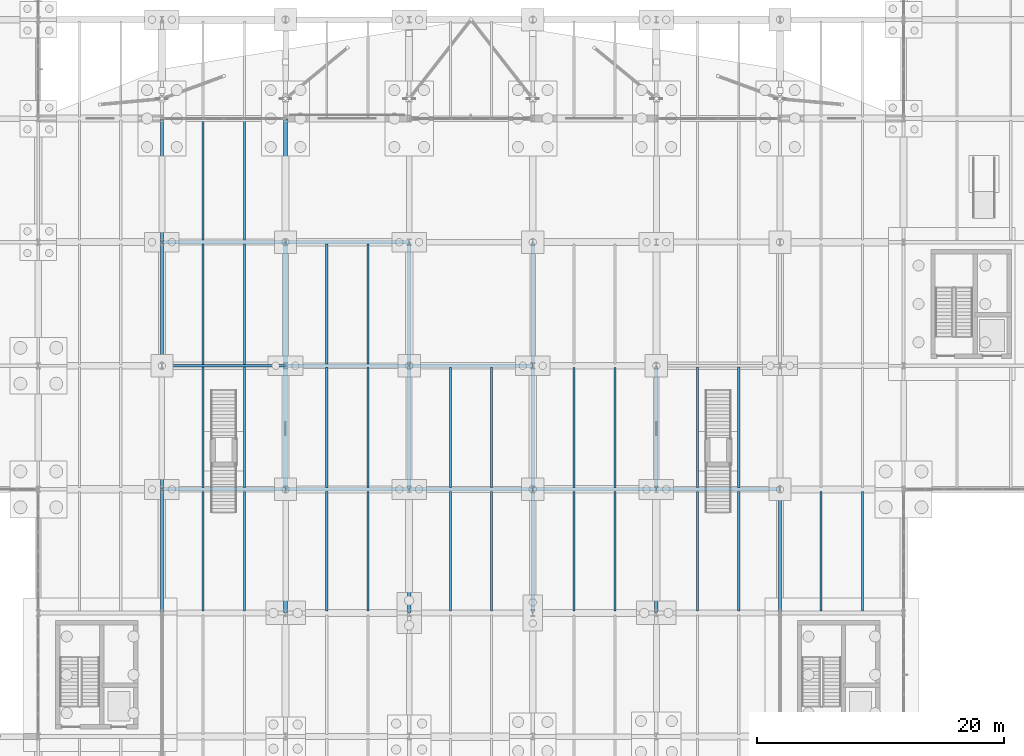
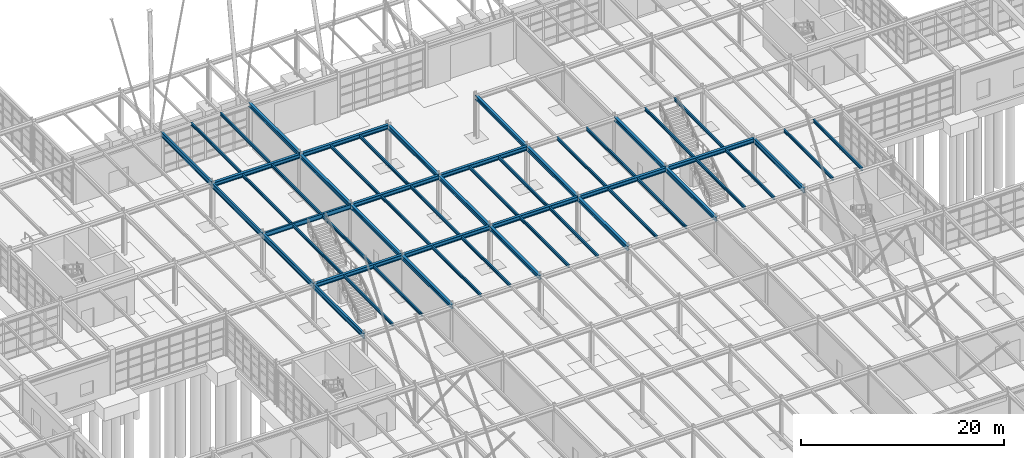
# One storey, part 56 of 145: 55 beams.
"""IFC4 building model written with IfcOpenShell, lengths in metres."""

from ifc_helpers import new_model, si_unit, direction, frame, origin, origin_2d, place, context, subcontext, project, spatial, i_section, extrude, material, material_profile, profile_set, type_object, element, save


model = new_model("IFC4")

# Units and contexts
model_context = context("Model", 3, precision=1e-05, world=origin(), true_north=direction((0.0, 1.0)))
body_context = subcontext(model_context, "Body", "Model", "MODEL_VIEW")
ifc_project = project(units=[si_unit("LENGTHUNIT", "METRE"), si_unit("AREAUNIT", "SQUARE_METRE"), si_unit("VOLUMEUNIT", "CUBIC_METRE"), si_unit("PLANEANGLEUNIT", "RADIAN"), si_unit("MASSUNIT", "GRAM", prefix="KILO"), si_unit("THERMODYNAMICTEMPERATUREUNIT", "KELVIN"), si_unit("POWERUNIT", "WATT")], contexts=[model_context])

# Site, building, storey
site_placement = place(None, origin())
site = spatial("IfcSite", under=ifc_project, at=site_placement, CompositionType="ELEMENT")
building_placement = place(site_placement, origin())
building = spatial("IfcBuilding", under=site, at=building_placement, Name="Korenveer Ferry Terminal", CompositionType="ELEMENT")
storey_placement = place(building_placement, origin())
storey = spatial("IfcBuildingStorey", under=building, at=storey_placement, Name="L00", CompositionType="ELEMENT", Elevation=0.0)

# Beams
ifc_material = material(Name="Steel S355", Category="steel")
ifc_material_profile_1 = material_profile(ifc_material, i_section(OverallWidth=0.300048828125, OverallDepth=0.5, WebThickness=0.014404296875, FlangeThickness=0.028076171875, FilletRadius=0.027099609375, at=origin_2d()), Name="HEB 500")
ifc_profile_set_1 = profile_set([ifc_material_profile_1], Name="Steel S355")
beam_type_1 = type_object("IfcBeamType", Name="STR-BM-HEB500", PredefinedType="BEAM", material=ifc_profile_set_1)
for number, where, z_axis, x_axis, name in (
    (1, (63.02001953125, 70.0, 4.830078125), (1.0, 0.0, 0.0), (0.0, 1.0, 0.0), "Primary X girder BMX-L01-X63-73-Y70"),
    (2, (73.02001953125, 70.0, 4.830078125), (1.0, 0.0, 0.0), (0.0, 1.0, 0.0), "Primary X girder BMX-L01-X73-83-Y70"),
    (3, (83.02001953125, 70.0, 4.830078125), (1.0, 0.0, 0.0), (0.0, 1.0, 0.0), "Primary X girder BMX-L01-X83-93-Y70"),
    (4, (93.02001953125, 70.0, 4.830078125), (1.0, 0.0, 0.0), (0.0, 1.0, 0.0), "Primary X girder BMX-L01-X93-103-Y70"),
    (5, (103.02001953125, 70.0, 4.830078125), (1.0, 0.0, 0.0), (0.0, 1.0, 0.0), "Primary X girder BMX-L01-X103-113-Y70"),
    (6, (73.02001953125, 80.0, 4.830078125), (1.0, 0.0, 0.0), (0.0, 1.0, 0.0), "Primary X girder BMX-L01-X73-83-Y80"),
    (7, (83.02001953125, 80.0, 4.830078125), (1.0, 0.0, 0.0), (0.0, 1.0, 0.0), "Primary X girder BMX-L01-X83-93-Y80"),
    (8, (63.02001953125, 90.0, 4.830078125), (1.0, 0.0, 0.0), (0.0, 1.0, 0.0), "Primary X girder BMX-L01-X63-73-Y90"),
    (9, (73.02001953125, 90.0, 4.830078125), (1.0, 0.0, 0.0), (0.0, 1.0, 0.0), "Primary X girder BMX-L01-X73-83-Y90"),
    (10, (73.0, 60.02001953125, 4.830078125), (0.0, 1.0, 0.0), (-1.0, 0.0, 0.0), "Primary Y girder BMY-L01-X73-Y60-70"),
    (11, (73.0, 70.02001953125, 4.830078125), (0.0, 1.0, 0.0), (-1.0, 0.0, 0.0), "Primary Y girder BMY-L01-X73-Y70-80"),
    (12, (73.0, 80.02001953125, 4.830078125), (0.0, 1.0, 0.0), (-1.0, 0.0, 0.0), "Primary Y girder BMY-L01-X73-Y80-90"),
    (13, (73.0, 90.02001953125, 4.929931640625), (0.0, 1.0, 0.0), (-1.0, 0.0, 0.0), "Primary Y girder BMY-L01-X73-Y90-100"),
    (14, (83.0, 60.02001953125, 4.830078125), (0.0, 1.0, 0.0), (-1.0, 0.0, 0.0), "Primary Y girder BMY-L01-X83-Y60-70"),
    (15, (83.0, 70.02001953125, 4.830078125), (0.0, 1.0, 0.0), (-1.0, 0.0, 0.0), "Primary Y girder BMY-L01-X83-Y70-80"),
    (16, (83.0, 80.02001953125, 4.830078125), (0.0, 1.0, 0.0), (-1.0, 0.0, 0.0), "Primary Y girder BMY-L01-X83-Y80-90"),
    (17, (93.0, 60.02001953125, 4.830078125), (0.0, 1.0, 0.0), (-1.0, 0.0, 0.0), "Primary Y girder BMY-L01-X93-Y60-70"),
    (18, (93.0, 70.02001953125, 4.830078125), (0.0, 1.0, 0.0), (-1.0, 0.0, 0.0), "Primary Y girder BMY-L01-X93-Y70-80"),
    (19, (93.0, 80.02001953125, 4.830078125), (0.0, 1.0, 0.0), (-1.0, 0.0, 0.0), "Primary Y girder BMY-L01-X93-Y80-90"),
    (20, (103.0, 60.02001953125, 4.830078125), (0.0, 1.0, 0.0), (-1.0, 0.0, 0.0), "Primary Y girder BMY-L01-X103-Y60-70"),
    (21, (103.0, 70.02001953125, 4.830078125), (0.0, 1.0, 0.0), (-1.0, 0.0, 0.0), "Primary Y girder BMY-L01-X103-Y70-80"),
):
    element("IfcBeam", number, at=place(storey_placement, frame(where, z_axis=z_axis, x_axis=x_axis)), inside=storey, type_object=beam_type_1, Name=name, PredefinedType="BEAM", context=body_context, shape_type="SweptSolid", body=[
        extrude(i_section(OverallWidth=0.300048828125, OverallDepth=0.5, WebThickness=0.014404296875, FlangeThickness=0.028076171875, FilletRadius=0.027099609375, at=origin_2d()), origin(), (0.0, 0.0, 1.0), 9.9599609375),
    ])
ifc_material_profile_2 = material_profile(ifc_material, i_section(OverallWidth=0.2099609375, OverallDepth=0.550048828125, WebThickness=0.010986328125, FlangeThickness=0.01708984375, FilletRadius=0.02392578125, at=origin_2d()), Name="IPE 550")
ifc_profile_set_2 = profile_set([ifc_material_profile_2], Name="Steel S355")
beam_type_2 = type_object("IfcBeamType", Name="STR-BM-IPE550", PredefinedType="BEAM", material=ifc_profile_set_2)
beam_placement = place(storey_placement, frame((63.02001953125, 80.0, 4.804931640625), z_axis=(1.0, 0.0, 0.0), x_axis=(0.0, 1.0, 0.0)))
element("IfcBeam", 22, at=beam_placement, inside=storey, type_object=beam_type_2, Name="Primary X girder BMX-L01-X63-73-Y80", PredefinedType="BEAM", context=body_context, shape_type="SweptSolid", body=[
    extrude(i_section(OverallWidth=0.2099609375, OverallDepth=0.550048828125, WebThickness=0.010986328125, FlangeThickness=0.01708984375, FilletRadius=0.02392578125, at=origin_2d()), origin(), (0.0, 0.0, 1.0), 9.9599609375),
])
ifc_material_profile_3 = material_profile(ifc_material, i_section(OverallWidth=0.219970703125, OverallDepth=0.60009765625, WebThickness=0.011962890625, FlangeThickness=0.01904296875, FilletRadius=0.02392578125, at=origin_2d()), Name="IPE 600")
ifc_profile_set_3 = profile_set([ifc_material_profile_3], Name="Steel S355")
beam_type_3 = type_object("IfcBeamType", Name="STR-BM-IPE600", PredefinedType="BEAM", material=ifc_profile_set_3)
for number, where, z_axis, x_axis, name in (
    (23, (63.0, 60.02001953125, 4.780029296875), (0.0, 1.0, 0.0), (-1.0, 0.0, 0.0), "Primary Y girder BMY-L01-X63-Y60-70"),
    (24, (63.0, 70.02001953125, 4.780029296875), (0.0, 1.0, 0.0), (-1.0, 0.0, 0.0), "Primary Y girder BMY-L01-X63-Y70-80"),
    (25, (63.0, 80.02001953125, 4.780029296875), (0.0, 1.0, 0.0), (-1.0, 0.0, 0.0), "Primary Y girder BMY-L01-X63-Y80-90"),
    (26, (63.0, 90.02001953125, 4.8798828125), (0.0, 1.0, 0.0), (-1.0, 0.0, 0.0), "Primary Y girder BMY-L01-X63-Y90-100"),
    (27, (113.0, 60.02001953125, 4.780029296875), (0.0, 1.0, 0.0), (-1.0, 0.0, 0.0), "Primary Y girder BMY-L01-X113-Y60-70"),
):
    element("IfcBeam", number, at=place(storey_placement, frame(where, z_axis=z_axis, x_axis=x_axis)), inside=storey, type_object=beam_type_3, Name=name, PredefinedType="BEAM", context=body_context, shape_type="SweptSolid", body=[
        extrude(i_section(OverallWidth=0.219970703125, OverallDepth=0.60009765625, WebThickness=0.011962890625, FlangeThickness=0.01904296875, FilletRadius=0.02392578125, at=origin_2d()), origin(), (0.0, 0.0, 1.0), 9.9599609375),
    ])
ifc_material_profile_4 = material_profile(ifc_material, i_section(OverallWidth=0.169921875, OverallDepth=0.360107421875, WebThickness=0.008056640625, FlangeThickness=0.0126953125, FilletRadius=0.01806640625, at=origin_2d()), Name="IPE 360")
ifc_profile_set_4 = profile_set([ifc_material_profile_4], Name="Steel S355")
beam_type_4 = type_object("IfcBeamType", Name="STR-JST-IPE360", PredefinedType="JOIST", material=ifc_profile_set_4)
for number, where, z_axis, x_axis, name in (
    (28, (66.333251953125, 60.159912109375, 4.89990234375), (0.0, 1.0, 0.0), (-1.0, 0.0, 0.0), "Secondary composite joist JST-L01-X663-Y60-70"),
    (29, (69.666748046875, 60.159912109375, 4.89990234375), (0.0, 1.0, 0.0), (-1.0, 0.0, 0.0), "Secondary composite joist JST-L01-X697-Y60-70"),
):
    element("IfcBeam", number, at=place(storey_placement, frame(where, z_axis=z_axis, x_axis=x_axis)), inside=storey, type_object=beam_type_4, Name=name, PredefinedType="JOIST", context=body_context, shape_type="SweptSolid", body=[
        extrude(i_section(OverallWidth=0.169921875, OverallDepth=0.360107421875, WebThickness=0.008056640625, FlangeThickness=0.0126953125, FilletRadius=0.01806640625, at=origin_2d()), origin(), (0.0, 0.0, 1.0), 9.68017578125),
    ])
for number, where, z_axis, x_axis, name in (
    (30, (66.333251953125, 70.159912109375, 4.89990234375), (0.0, 1.0, 0.0), (-1.0, 0.0, 0.0), "Secondary composite joist JST-L01-X663-Y70-80"),
    (31, (69.666748046875, 70.159912109375, 4.89990234375), (0.0, 1.0, 0.0), (-1.0, 0.0, 0.0), "Secondary composite joist JST-L01-X697-Y70-80"),
    (32, (66.333251953125, 80.114990234375, 4.89990234375), (0.0, 1.0, 0.0), (-1.0, 0.0, 0.0), "Secondary composite joist JST-L01-X663-Y80-90"),
    (33, (69.666748046875, 80.114990234375, 4.89990234375), (0.0, 1.0, 0.0), (-1.0, 0.0, 0.0), "Secondary composite joist JST-L01-X697-Y80-90"),
    (34, (66.333251953125, 90.159912109375, 5.0), (0.0, 1.0, 0.0), (-1.0, 0.0, 0.0), "Secondary composite joist JST-L01-X663-Y90-100"),
    (35, (69.666748046875, 90.159912109375, 5.0), (0.0, 1.0, 0.0), (-1.0, 0.0, 0.0), "Secondary composite joist JST-L01-X697-Y90-100"),
):
    element("IfcBeam", number, at=place(storey_placement, frame(where, z_axis=z_axis, x_axis=x_axis)), inside=storey, type_object=beam_type_4, Name=name, PredefinedType="JOIST", context=body_context, shape_type="SweptSolid", body=[
        extrude(i_section(OverallWidth=0.169921875, OverallDepth=0.360107421875, WebThickness=0.008056640625, FlangeThickness=0.0126953125, FilletRadius=0.01806640625, at=origin_2d()), origin(), (0.0, 0.0, 1.0), 9.72509765625),
    ])
for number, where, z_axis, x_axis, name in (
    (36, (76.333251953125, 60.159912109375, 4.89990234375), (0.0, 1.0, 0.0), (-1.0, 0.0, 0.0), "Secondary composite joist JST-L01-X763-Y60-70"),
    (37, (79.666748046875, 60.159912109375, 4.89990234375), (0.0, 1.0, 0.0), (-1.0, 0.0, 0.0), "Secondary composite joist JST-L01-X797-Y60-70"),
    (38, (76.333251953125, 70.159912109375, 4.89990234375), (0.0, 1.0, 0.0), (-1.0, 0.0, 0.0), "Secondary composite joist JST-L01-X763-Y70-80"),
    (39, (79.666748046875, 70.159912109375, 4.89990234375), (0.0, 1.0, 0.0), (-1.0, 0.0, 0.0), "Secondary composite joist JST-L01-X797-Y70-80"),
    (40, (76.333251953125, 80.159912109375, 4.89990234375), (0.0, 1.0, 0.0), (-1.0, 0.0, 0.0), "Secondary composite joist JST-L01-X763-Y80-90"),
    (41, (79.666748046875, 80.159912109375, 4.89990234375), (0.0, 1.0, 0.0), (-1.0, 0.0, 0.0), "Secondary composite joist JST-L01-X797-Y80-90"),
    (42, (86.333251953125, 60.159912109375, 4.89990234375), (0.0, 1.0, 0.0), (-1.0, 0.0, 0.0), "Secondary composite joist JST-L01-X863-Y60-70"),
    (43, (89.666748046875, 60.159912109375, 4.89990234375), (0.0, 1.0, 0.0), (-1.0, 0.0, 0.0), "Secondary composite joist JST-L01-X897-Y60-70"),
    (44, (86.333251953125, 70.159912109375, 4.89990234375), (0.0, 1.0, 0.0), (-1.0, 0.0, 0.0), "Secondary composite joist JST-L01-X863-Y70-80"),
    (45, (89.666748046875, 70.159912109375, 4.89990234375), (0.0, 1.0, 0.0), (-1.0, 0.0, 0.0), "Secondary composite joist JST-L01-X897-Y70-80"),
    (46, (96.333251953125, 60.159912109375, 4.89990234375), (0.0, 1.0, 0.0), (-1.0, 0.0, 0.0), "Secondary composite joist JST-L01-X963-Y60-70"),
    (47, (99.666748046875, 60.159912109375, 4.89990234375), (0.0, 1.0, 0.0), (-1.0, 0.0, 0.0), "Secondary composite joist JST-L01-X997-Y60-70"),
    (48, (96.333251953125, 70.159912109375, 4.89990234375), (0.0, 1.0, 0.0), (-1.0, 0.0, 0.0), "Secondary composite joist JST-L01-X963-Y70-80"),
    (49, (99.666748046875, 70.159912109375, 4.89990234375), (0.0, 1.0, 0.0), (-1.0, 0.0, 0.0), "Secondary composite joist JST-L01-X997-Y70-80"),
    (50, (106.333251953125, 60.159912109375, 4.89990234375), (0.0, 1.0, 0.0), (-1.0, 0.0, 0.0), "Secondary composite joist JST-L01-X1063-Y60-70"),
    (51, (109.666748046875, 60.159912109375, 4.89990234375), (0.0, 1.0, 0.0), (-1.0, 0.0, 0.0), "Secondary composite joist JST-L01-X1097-Y60-70"),
):
    element("IfcBeam", number, at=place(storey_placement, frame(where, z_axis=z_axis, x_axis=x_axis)), inside=storey, type_object=beam_type_4, Name=name, PredefinedType="JOIST", context=body_context, shape_type="SweptSolid", body=[
        extrude(i_section(OverallWidth=0.169921875, OverallDepth=0.360107421875, WebThickness=0.008056640625, FlangeThickness=0.0126953125, FilletRadius=0.01806640625, at=origin_2d()), origin(), (0.0, 0.0, 1.0), 9.68017578125),
    ])
for number, where, z_axis, x_axis, name in (
    (52, (106.333251953125, 70.159912109375, 4.89990234375), (0.0, 1.0, 0.0), (-1.0, 0.0, 0.0), "Secondary composite joist JST-L01-X1063-Y70-80"),
    (53, (109.666748046875, 70.159912109375, 4.89990234375), (0.0, 1.0, 0.0), (-1.0, 0.0, 0.0), "Secondary composite joist JST-L01-X1097-Y70-80"),
):
    element("IfcBeam", number, at=place(storey_placement, frame(where, z_axis=z_axis, x_axis=x_axis)), inside=storey, type_object=beam_type_4, Name=name, PredefinedType="JOIST", context=body_context, shape_type="SweptSolid", body=[
        extrude(i_section(OverallWidth=0.169921875, OverallDepth=0.360107421875, WebThickness=0.008056640625, FlangeThickness=0.0126953125, FilletRadius=0.01806640625, at=origin_2d()), origin(), (0.0, 0.0, 1.0), 9.72509765625),
    ])
for number, where, z_axis, x_axis, name in (
    (54, (116.333251953125, 60.159912109375, 4.89990234375), (0.0, 1.0, 0.0), (-1.0, 0.0, 0.0), "Secondary composite joist JST-L01-X1163-Y60-70"),
    (55, (119.666748046875, 60.159912109375, 4.89990234375), (0.0, 1.0, 0.0), (-1.0, 0.0, 0.0), "Secondary composite joist JST-L01-X1197-Y60-70"),
):
    element("IfcBeam", number, at=place(storey_placement, frame(where, z_axis=z_axis, x_axis=x_axis)), inside=storey, type_object=beam_type_4, Name=name, PredefinedType="JOIST", context=body_context, shape_type="SweptSolid", body=[
        extrude(i_section(OverallWidth=0.169921875, OverallDepth=0.360107421875, WebThickness=0.008056640625, FlangeThickness=0.0126953125, FilletRadius=0.01806640625, at=origin_2d()), origin(), (0.0, 0.0, 1.0), 9.68017578125),
    ])

save(model, "model.ifc")
